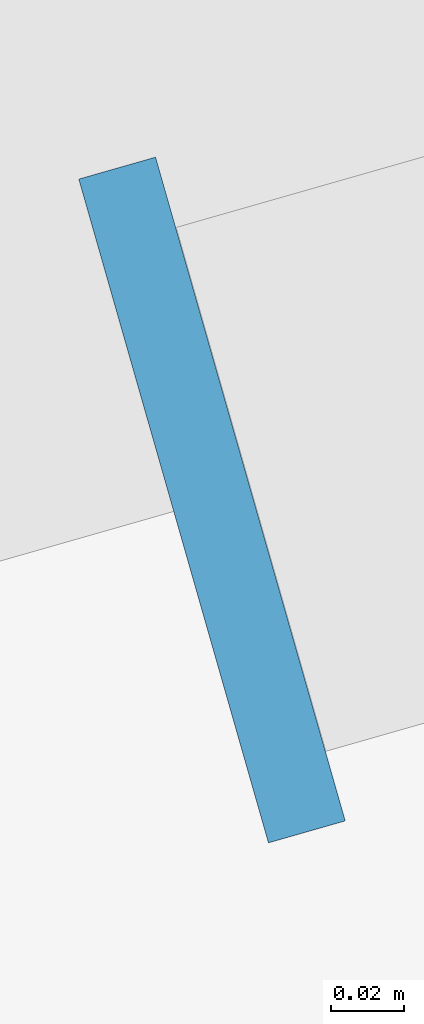
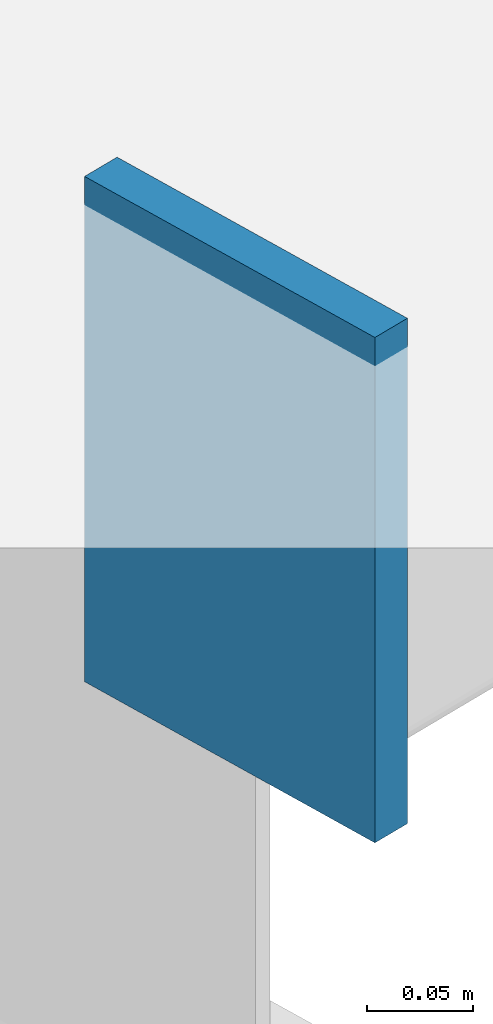
# One storey, part 45 of 90: 1 plate.
"""IFC4 building model written with IfcOpenShell, lengths in metres."""

from ifc_helpers import new_model, si_unit, direction, frame, origin, origin_2d, place, context, subcontext, project, spatial, rectangle, extrude, material, layer, layer_set, type_object, element, save


model = new_model("IFC4")

# Units and contexts
model_context = context("Model", 3, precision=1e-05, world=origin(), true_north=direction((0.0, 1.0)))
body_context = subcontext(model_context, "Body", "Model", "MODEL_VIEW")
ifc_project = project(units=[si_unit("LENGTHUNIT", "METRE"), si_unit("AREAUNIT", "SQUARE_METRE"), si_unit("VOLUMEUNIT", "CUBIC_METRE"), si_unit("PLANEANGLEUNIT", "RADIAN"), si_unit("MASSUNIT", "GRAM", prefix="KILO")], contexts=[model_context])

# Site, building, storey
site_placement = place(None, origin())
site = spatial("IfcSite", under=ifc_project, at=site_placement, CompositionType="ELEMENT")
building_placement = place(site_placement, origin())
building = spatial("IfcBuilding", under=site, at=building_placement, Name="Wrenclough Park School", CompositionType="ELEMENT")
storey_placement = place(building_placement, frame((0.0, 0.0, 8.39990234375)))
storey = spatial("IfcBuildingStorey", under=building, at=storey_placement, Name="L02", CompositionType="ELEMENT", Elevation=8.39990234375)

# Plate
ifc_material = material(Name="Structural steel S355", Category="steel")
ifc_layer = layer(ifc_material, 0.2900390625)
ifc_layer_set = layer_set([ifc_layer], Name="Structural steel S355")
plate_type = type_object("IfcPlateType", Name="STR-PL-EP250", PredefinedType="SHEET", material=ifc_layer_set)
plate_placement = place(storey_placement, frame((38.43115234375, 88.22607421875, -0.5), z_axis=(0.0, 0.0, 1.0), x_axis=(0.961501868857, 0.27479839189, 0.0)))
element("IfcPlate", 1, at=plate_placement, inside=storey, type_object=plate_type, Name="W34 eave fascia R1 start sealing end-cap plate", PredefinedType="SHEET", context=body_context, shape_type="SweptSolid", body=[
    extrude(rectangle(XDim=0.02197265625, YDim=0.18994140625, at=origin_2d()), origin(), (0.0, 0.0, 1.0), 0.2900390625),
])

save(model, "model.ifc")
